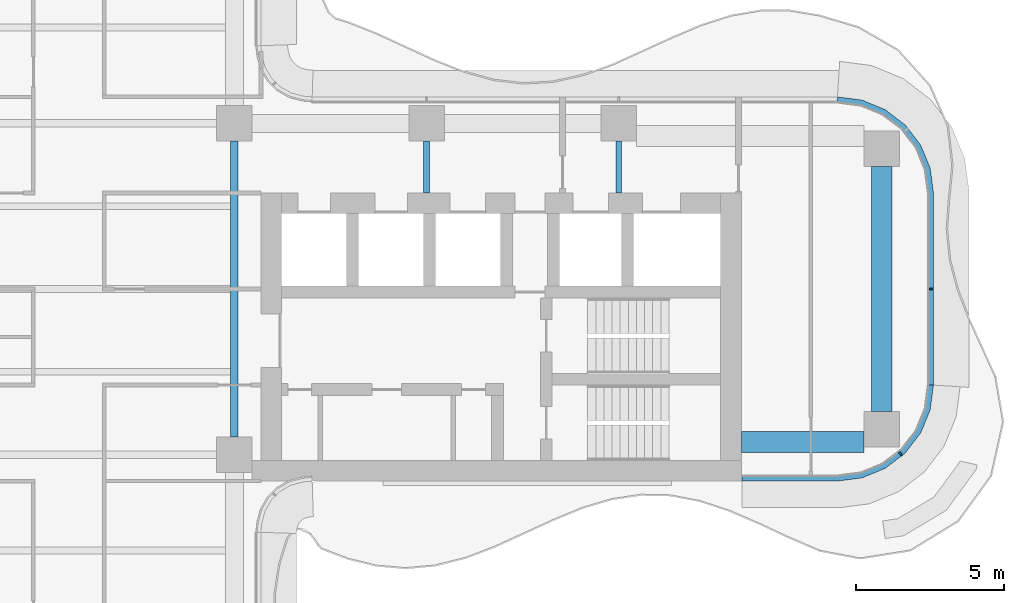
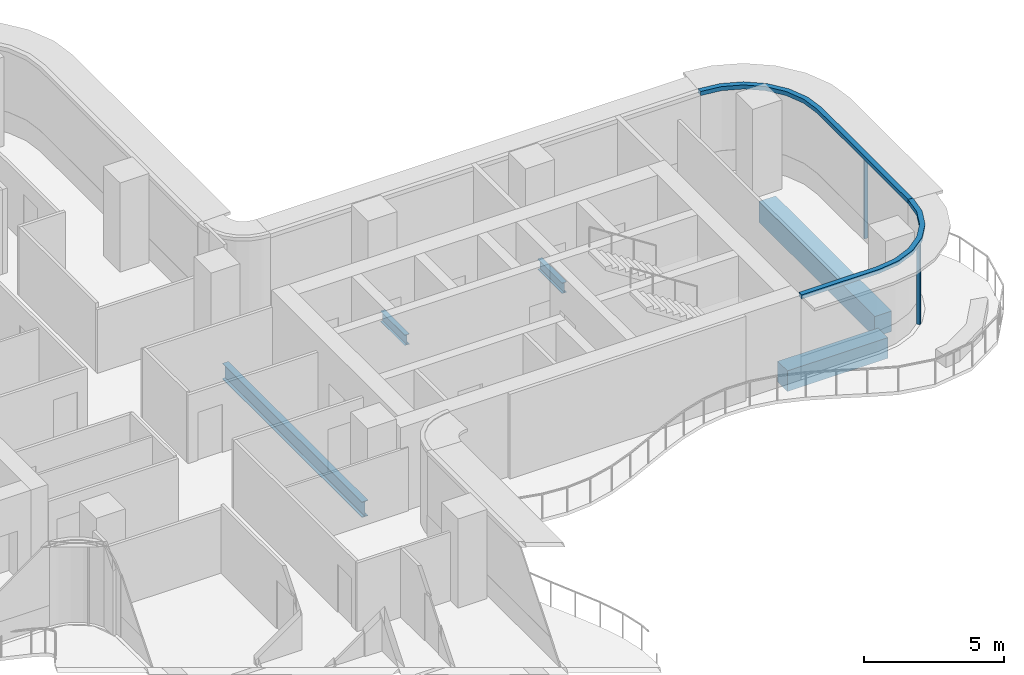
# One storey, part 6 of 19: 5 beams, 4 members, 2 elements without a shape of their own.
"""IFC4 building model written with IfcOpenShell, lengths in metres."""

from ifc_helpers import new_model, si_unit, direction, frame, origin, origin_2d, place, context, subcontext, project, spatial, polyline, rectangle, i_section, outline, extrude, source, transform, mapped, material, layer, layer_set, material_profile, profile_set, type_object, element, aggregate, save


model = new_model("IFC4")

# Units and contexts
model_context = context("Model", 3, precision=1e-05, world=origin(), true_north=direction((0.0, 1.0)))
body_context = subcontext(model_context, "Body", "Model", "MODEL_VIEW")
ifc_project = project(units=[si_unit("LENGTHUNIT", "METRE"), si_unit("AREAUNIT", "SQUARE_METRE"), si_unit("VOLUMEUNIT", "CUBIC_METRE"), si_unit("PLANEANGLEUNIT", "RADIAN"), si_unit("MASSUNIT", "GRAM", prefix="KILO")], contexts=[model_context])

# Site, building, storey
site_placement = place(None, origin())
site = spatial("IfcSite", under=ifc_project, at=site_placement, CompositionType="ELEMENT")
building_placement = place(site_placement, origin())
building = spatial("IfcBuilding", under=site, at=building_placement, Name="Trellis Farm Tower", CompositionType="ELEMENT")
storey_placement = place(building_placement, frame((0.0, 0.0, 197.10009765625)))
storey = spatial("IfcBuildingStorey", under=building, at=storey_placement, Name="L43", CompositionType="ELEMENT", Elevation=197.10009765625)

# Beams
ifc_material_1 = material(Name="Steel S355", Category="steel")
ifc_material_profile_1 = material_profile(ifc_material_1, i_section(OverallWidth=0.253662109375, OverallDepth=0.68359375, WebThickness=0.012451171875, FlangeThickness=0.021728515625, FilletRadius=0.01513671875, at=origin_2d()), Name="UB 686x254x140")
ifc_profile_set_1 = profile_set([ifc_material_profile_1], Name="Steel S355")
beam_type_1 = type_object("IfcBeamType", Name="UB 686x254x140", PredefinedType="BEAM", material=ifc_profile_set_1)
shared_shape_1 = source(origin(), body_context, "Body", "SweptSolid", [
    extrude(i_section(OverallWidth=0.253662109375, OverallDepth=0.68359375, WebThickness=0.012451171875, FlangeThickness=0.021728515625, FilletRadius=0.01513671875, at=origin_2d()), origin(), (0.0, 0.0, 1.0), 10.0),
])
beam_1_placement = place(storey_placement, frame((5.60009765625, -5.0, -0.541748046875), z_axis=(0.0, 1.0, 0.0), x_axis=(-1.0, 0.0, 0.0)))
element("IfcBeam", 1, at=beam_1_placement, inside=storey, type_object=beam_type_1, Name="Girder", PredefinedType="BEAM", context=body_context, shape_type="MappedRepresentation", body=[
    mapped(shared_shape_1, transform((0.0, 0.0, 0.0))),
])
ifc_material_2 = material(Name="Concrete C60/75", Category="concrete")
ifc_material_profile_2 = material_profile(ifc_material_2, rectangle(XDim=0.699951171875, YDim=0.89990234375, at=origin_2d()), Name="RC spandrel beam 700x900 C60/75")
ifc_profile_set_2 = profile_set([ifc_material_profile_2], Name="Concrete C60/75")
beam_type_2 = type_object("IfcBeamType", Name="RC spandrel beam 700x900 C60/75", PredefinedType="SPANDREL", material=ifc_profile_set_2)
shared_shape_2 = source(origin(), body_context, "Body", "SweptSolid", [
    extrude(rectangle(XDim=0.699951171875, YDim=0.89990234375, at=origin_2d()), origin(), (0.0, 0.0, 1.0), 8.2998046875),
])
beam_2_placement = place(storey_placement, frame((27.5, -4.14990234375, -0.650146484375), z_axis=(0.0, 1.0, 0.0), x_axis=(-1.0, 0.0, 0.0)))
element("IfcBeam", 2, at=beam_2_placement, inside=storey, type_object=beam_type_2, Name="Girder", PredefinedType="SPANDREL", context=body_context, shape_type="MappedRepresentation", body=[
    mapped(shared_shape_2, transform((0.0, 0.0, 0.0))),
])
ifc_material_profile_3 = material_profile(ifc_material_1, i_section(OverallWidth=0.1904296875, OverallDepth=0.45703125, WebThickness=0.009033203125, FlangeThickness=0.014404296875, FilletRadius=0.01025390625, at=origin_2d()), Name="UB 457x191x74")
ifc_profile_set_3 = profile_set([ifc_material_profile_3], Name="Steel S355")
beam_type_3 = type_object("IfcBeamType", Name="UB 457x191x74", PredefinedType="BEAM", material=ifc_profile_set_3)
shared_shape_3 = source(origin(), body_context, "Body", "SweptSolid", [
    extrude(i_section(OverallWidth=0.1904296875, OverallDepth=0.45703125, WebThickness=0.009033203125, FlangeThickness=0.014404296875, FilletRadius=0.01025390625, at=origin_2d()), origin(), (0.0, 0.0, 1.0), 1.75),
])
for number, where, z_axis, x_axis, name in (
    (3, (12.10009765625, 3.25, -0.4287109375), (0.0, 1.0, 0.0), (-1.0, 0.0, 0.0), "Girder"),
    (4, (18.60009765625, 3.25, -0.4287109375), (0.0, 1.0, 0.0), (-1.0, 0.0, 0.0), "Girder"),
):
    element("IfcBeam", number, at=place(storey_placement, frame(where, z_axis=z_axis, x_axis=x_axis)), inside=storey, type_object=beam_type_3, Name=name, PredefinedType="BEAM", context=body_context, shape_type="MappedRepresentation", body=[
        mapped(shared_shape_3, transform((0.0, 0.0, 0.0))),
    ])
shared_shape_4 = source(origin(), body_context, "Body", "SweptSolid", [
    extrude(rectangle(XDim=0.699951171875, YDim=0.89990234375, at=origin_2d()), origin(), (0.0, 0.0, 1.0), 4.14990234375),
])
beam_3_placement = place(storey_placement, frame((22.75, -5.175048828125, -0.650146484375), z_axis=(1.0, 0.0, 0.0), x_axis=(0.0, 1.0, 0.0)))
element("IfcBeam", 5, at=beam_3_placement, inside=storey, type_object=beam_type_2, Name="Girder", PredefinedType="SPANDREL", context=body_context, shape_type="MappedRepresentation", body=[
    mapped(shared_shape_4, transform((0.0, 0.0, 0.0))),
])

# Curtain wall, member
ifc_material_3 = material(Name="Aluminium and glass curtain wall", Category="aluminium")
ifc_layer_1 = layer(ifc_material_3, 0.18994140625)
ifc_layer_set_1 = layer_set([ifc_layer_1], Name="RIBBON CURTAIN WALL CW1")
curtain_wall_type = type_object("IfcCurtainWallType", Name="RIBBON CURTAIN WALL CW1", PredefinedType="NOTDEFINED", material=ifc_layer_set_1)
placement_1 = place(storey_placement, origin())
curtain_wall_1 = element("IfcCurtainWall", 6, at=placement_1, inside=storey, type_object=curtain_wall_type, Name="CW1 006", PredefinedType="NOTDEFINED")
ifc_material_4 = material(Name="Aluminium extrusion 6063-T6", Category="aluminium")
ifc_layer_2 = layer(ifc_material_4, 0.199951171875)
ifc_layer_set_2 = layer_set([ifc_layer_2], Name="Aluminium extrusion 6063-T6")
member_type_1 = type_object("IfcMemberType", Name="CW1 TRANSOM 200x180", PredefinedType="USERDEFINED", material=ifc_layer_set_2)
shared_shape_5 = source(origin(), body_context, "Body", "SweptSolid", [
    extrude(outline(polyline([(22.780029296875, -6.5), (26.0, -6.5), (26.841064453125, -6.38916015625), (27.625, -6.064697265625), (28.298095703125, -5.548095703125), (28.814697265625, -4.875), (29.13916015625, -4.091064453125), (29.25, -3.25), (29.050048828125, -3.23681640625), (28.9443359375, -4.0390625), (28.639892578125, -4.774169921875), (28.155517578125, -5.405517578125), (27.524169921875, -5.889892578125), (26.7890625, -6.1943359375), (25.98681640625, -6.300048828125), (22.780029296875, -6.300048828125), (22.780029296875, -6.5)])), origin(), (0.0, 0.0, 1.0), 0.179931640625),
])
placement_2 = place(storey_placement, frame((0.0, 0.0, 3.52001953125)))
member_1 = element("IfcMember", 7, at=placement_2, type_object=member_type_1, Name="TR1 006", ObjectType="TRANSOM", PredefinedType="USERDEFINED", context=body_context, shape_type="MappedRepresentation", body=[
    mapped(shared_shape_5, transform((0.0, 0.0, 0.0))),
])

curtain_wall_2 = element("IfcCurtainWall", 8, at=placement_1, inside=storey, type_object=curtain_wall_type, Name="CW1 007", PredefinedType="NOTDEFINED")
shared_shape_6 = source(origin(), body_context, "Body", "SweptSolid", [
    extrude(outline(polyline([(29.25, -3.25), (29.25, 3.25), (29.13916015625, 4.091064453125), (28.814697265625, 4.875), (28.298095703125, 5.548095703125), (27.625, 6.064697265625), (26.841064453125, 6.38916015625), (26.0, 6.5), (25.98681640625, 6.300048828125), (26.7890625, 6.1943359375), (27.524169921875, 5.889892578125), (28.155517578125, 5.405517578125), (28.639892578125, 4.774169921875), (28.9443359375, 4.0390625), (29.050048828125, 3.23681640625), (29.050048828125, -3.23681640625), (29.25, -3.25)])), origin(), (0.0, 0.0, 1.0), 0.179931640625),
])
member_2 = element("IfcMember", 9, at=placement_2, type_object=member_type_1, Name="TR1 007", ObjectType="TRANSOM", PredefinedType="USERDEFINED", context=body_context, shape_type="MappedRepresentation", body=[
    mapped(shared_shape_6, transform((0.0, 0.0, 0.0))),
])

# Member
ifc_material_profile_4 = material_profile(ifc_material_4, rectangle(XDim=0.06005859375, YDim=0.14990234375, at=origin_2d()), Name="MULLION 60x150")
ifc_profile_set_4 = profile_set([ifc_material_profile_4], Name="Aluminium extrusion 6063-T6")
member_type_2 = type_object("IfcMemberType", Name="CW1 MULLION 60x150", PredefinedType="MULLION", material=ifc_profile_set_4)
shared_shape_7 = source(origin(), body_context, "Body", "SweptSolid", [
    extrude(rectangle(XDim=0.06005859375, YDim=0.14990234375, at=origin_2d()), origin(), (0.0, 0.0, 1.0), 3.52001953125),
])
member_3_placement = place(storey_placement, frame((28.135498046875, -5.578369140625, 0.0), z_axis=(0.0, 0.0, 1.0), x_axis=(0.793353340291, 0.608761429009, 0.0)))
member_3 = element("IfcMember", 10, at=member_3_placement, type_object=member_type_2, Name="MU1 006-01", PredefinedType="MULLION", context=body_context, shape_type="MappedRepresentation", body=[
    mapped(shared_shape_7, transform((0.0, 0.0, 0.0))),
])

aggregate(curtain_wall_1, [member_3, member_1])

member_4_placement = place(storey_placement, frame((29.175048828125, 0.0, 0.0), z_axis=(0.0, 0.0, 1.0), x_axis=(0.0, 1.0, 0.0)))
member_4 = element("IfcMember", 11, at=member_4_placement, type_object=member_type_2, Name="MU1 007-01", PredefinedType="MULLION", context=body_context, shape_type="MappedRepresentation", body=[
    mapped(shared_shape_7, transform((0.0, 0.0, 0.0))),
])

aggregate(curtain_wall_2, [member_4, member_2])

save(model, "model.ifc")
